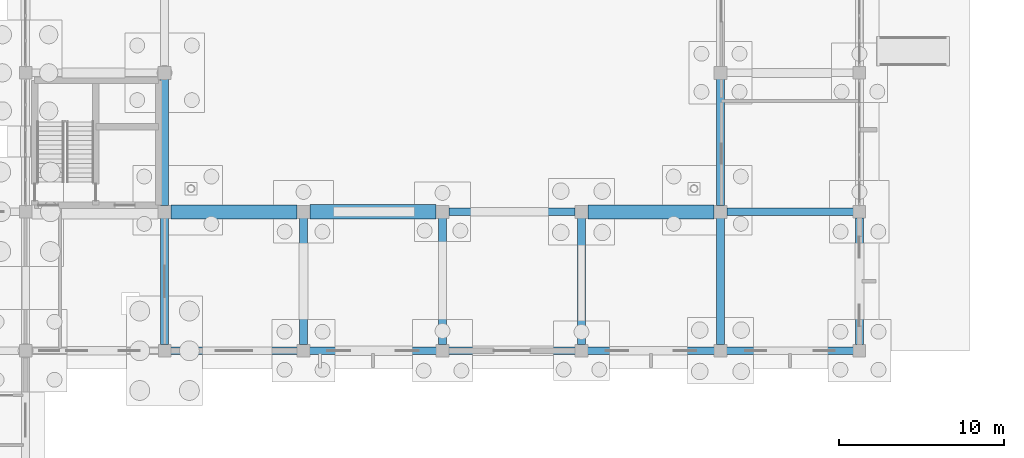
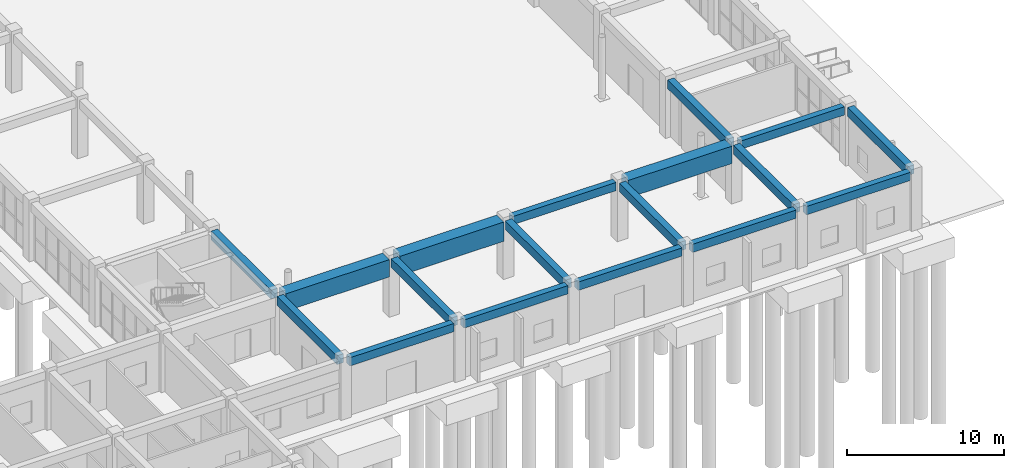
# One storey, part 123 of 192: 18 beams.
"""IFC4 building model written with IfcOpenShell, lengths in metres."""

from ifc_helpers import new_model, si_unit, direction, frame, origin, origin_2d, place, context, subcontext, project, spatial, rectangle, extrude, material, material_profile, profile_set, type_object, element, save


model = new_model("IFC4")

# Units and contexts
model_context = context("Model", 3, precision=1e-05, world=origin(), true_north=direction((0.0, 1.0)))
body_context = subcontext(model_context, "Body", "Model", "MODEL_VIEW")
ifc_project = project(units=[si_unit("LENGTHUNIT", "METRE"), si_unit("AREAUNIT", "SQUARE_METRE"), si_unit("VOLUMEUNIT", "CUBIC_METRE"), si_unit("PLANEANGLEUNIT", "RADIAN"), si_unit("MASSUNIT", "GRAM", prefix="KILO")], contexts=[model_context])

# Site, building, storey
site_placement = place(None, origin())
site = spatial("IfcSite", under=ifc_project, at=site_placement, CompositionType="ELEMENT")
building_placement = place(site_placement, origin())
building = spatial("IfcBuilding", under=site, at=building_placement, Name="Trelvath General Hospital", CompositionType="ELEMENT")
storey_placement = place(building_placement, origin())
storey = spatial("IfcBuildingStorey", under=building, at=storey_placement, Name="L00", CompositionType="ELEMENT", Elevation=0.0)

# Beams
ifc_material_1 = material(Name="Concrete C35/45", Category="concrete")
ifc_material_profile_1 = material_profile(ifc_material_1, rectangle(XDim=0.43994140625, YDim=0.639892578125, at=origin_2d()), Name="RCB440x640")
ifc_profile_set_1 = profile_set([ifc_material_profile_1], Name="Concrete C35/45")
beam_type_1 = type_object("IfcBeamType", Name="Beam RC440x640", PredefinedType="BEAM", material=ifc_profile_set_1)
beam_1_placement = place(storey_placement, frame((143.175048828125, 16.800048828125, 4.199951171875), z_axis=(1.0, 0.0, 0.0), x_axis=(0.0, 1.0, 0.0)))
element("IfcBeam", 1, at=beam_1_placement, inside=storey, type_object=beam_type_1, Name="Grid Beam BX-017C", PredefinedType="BEAM", context=body_context, shape_type="SweptSolid", body=[
    extrude(rectangle(XDim=0.43994140625, YDim=0.639892578125, at=origin_2d()), origin(), (0.0, 0.0, 1.0), 7.64990234375),
])
beam_2_placement = place(storey_placement, frame((151.574951171875, 16.800048828125, 4.199951171875), z_axis=(1.0, 0.0, 0.0), x_axis=(0.0, 1.0, 0.0)))
element("IfcBeam", 2, at=beam_2_placement, inside=storey, type_object=beam_type_1, Name="Grid Beam BX-018C", PredefinedType="BEAM", context=body_context, shape_type="SweptSolid", body=[
    extrude(rectangle(XDim=0.43994140625, YDim=0.639892578125, at=origin_2d()), origin(), (0.0, 0.0, 1.0), 7.650146484375),
])
beam_3_placement = place(storey_placement, frame((159.97509765625, 16.800048828125, 4.199951171875), z_axis=(1.0, 0.0, 0.0), x_axis=(0.0, 1.0, 0.0)))
element("IfcBeam", 3, at=beam_3_placement, inside=storey, type_object=beam_type_1, Name="Grid Beam BX-019C", PredefinedType="BEAM", context=body_context, shape_type="SweptSolid", body=[
    extrude(rectangle(XDim=0.43994140625, YDim=0.639892578125, at=origin_2d()), origin(), (0.0, 0.0, 1.0), 7.64990234375),
])
beam_4_placement = place(storey_placement, frame((159.985107421875, 25.199951171875, 4.199951171875), z_axis=(1.0, 0.0, 0.0), x_axis=(0.0, 1.0, 0.0)))
element("IfcBeam", 4, at=beam_4_placement, inside=storey, type_object=beam_type_1, Name="Grid Beam BX-019D", PredefinedType="BEAM", context=body_context, shape_type="SweptSolid", body=[
    extrude(rectangle(XDim=0.43994140625, YDim=0.639892578125, at=origin_2d()), origin(), (0.0, 0.0, 1.0), 7.6298828125),
])
beam_5_placement = place(storey_placement, frame((168.375, 16.800048828125, 4.199951171875), z_axis=(1.0, 0.0, 0.0), x_axis=(0.0, 1.0, 0.0)))
element("IfcBeam", 5, at=beam_5_placement, inside=storey, type_object=beam_type_1, Name="Grid Beam BX-020C", PredefinedType="BEAM", context=body_context, shape_type="SweptSolid", body=[
    extrude(rectangle(XDim=0.43994140625, YDim=0.639892578125, at=origin_2d()), origin(), (0.0, 0.0, 1.0), 7.64990234375),
])
beam_6_placement = place(storey_placement, frame((176.77490234375, 16.800048828125, 4.199951171875), z_axis=(1.0, 0.0, 0.0), x_axis=(0.0, 1.0, 0.0)))
element("IfcBeam", 6, at=beam_6_placement, inside=storey, type_object=beam_type_1, Name="Grid Beam BX-021C", PredefinedType="BEAM", context=body_context, shape_type="SweptSolid", body=[
    extrude(rectangle(XDim=0.43994140625, YDim=0.639892578125, at=origin_2d()), origin(), (0.0, 0.0, 1.0), 7.650146484375),
])
beam_7_placement = place(storey_placement, frame((176.784912109375, 25.199951171875, 4.199951171875), z_axis=(1.0, 0.0, 0.0), x_axis=(0.0, 1.0, 0.0)))
element("IfcBeam", 7, at=beam_7_placement, inside=storey, type_object=beam_type_1, Name="Grid Beam BX-021D", PredefinedType="BEAM", context=body_context, shape_type="SweptSolid", body=[
    extrude(rectangle(XDim=0.43994140625, YDim=0.639892578125, at=origin_2d()), origin(), (0.0, 0.0, 1.0), 7.64013671875),
])
ifc_material_2 = material(Name="Concrete C35/45", Category="concrete")
ifc_material_profile_2 = material_profile(ifc_material_2, rectangle(XDim=0.47998046875, YDim=0.679931640625, at=origin_2d()), Name="RCB480x680")
ifc_profile_set_2 = profile_set([ifc_material_profile_2], Name="Concrete C35/45")
beam_type_2 = type_object("IfcBeamType", Name="Beam RC480x680", PredefinedType="BEAM", material=ifc_profile_set_2)
beam_8_placement = place(storey_placement, frame((142.800048828125, 17.175048828125, 4.179931640625), z_axis=(0.0, 1.0, 0.0), x_axis=(-1.0, 0.0, 0.0)))
element("IfcBeam", 8, at=beam_8_placement, inside=storey, type_object=beam_type_2, Name="Grid Beam BY-017C", PredefinedType="BEAM", context=body_context, shape_type="SweptSolid", body=[
    extrude(rectangle(XDim=0.47998046875, YDim=0.679931640625, at=origin_2d()), origin(), (0.0, 0.0, 1.0), 7.639892578125),
])
beam_9_placement = place(storey_placement, frame((142.800048828125, 25.5849609375, 4.179931640625), z_axis=(0.0, 1.0, 0.0), x_axis=(-1.0, 0.0, 0.0)))
element("IfcBeam", 9, at=beam_9_placement, inside=storey, type_object=beam_type_2, Name="Grid Beam BY-017D", PredefinedType="BEAM", context=body_context, shape_type="SweptSolid", body=[
    extrude(rectangle(XDim=0.47998046875, YDim=0.679931640625, at=origin_2d()), origin(), (0.0, 0.0, 1.0), 7.630126953125),
])
for number, where, z_axis, x_axis, name in (
    (10, (151.199951171875, 17.175048828125, 4.179931640625), (0.0, 1.0, 0.0), (-1.0, 0.0, 0.0), "Grid Beam BY-018C"),
    (11, (159.60009765625, 17.175048828125, 4.179931640625), (0.0, 1.0, 0.0), (-1.0, 0.0, 0.0), "Grid Beam BY-019C"),
    (12, (168.0, 17.175048828125, 4.179931640625), (0.0, 1.0, 0.0), (-1.0, 0.0, 0.0), "Grid Beam BY-020C"),
    (13, (176.39990234375, 17.175048828125, 4.179931640625), (0.0, 1.0, 0.0), (-1.0, 0.0, 0.0), "Grid Beam BY-021C"),
):
    element("IfcBeam", number, at=place(storey_placement, frame(where, z_axis=z_axis, x_axis=x_axis)), inside=storey, type_object=beam_type_2, Name=name, PredefinedType="BEAM", context=body_context, shape_type="SweptSolid", body=[
        extrude(rectangle(XDim=0.47998046875, YDim=0.679931640625, at=origin_2d()), origin(), (0.0, 0.0, 1.0), 7.639892578125),
    ])
beam_10_placement = place(storey_placement, frame((176.39990234375, 25.5849609375, 4.179931640625), z_axis=(0.0, 1.0, 0.0), x_axis=(-1.0, 0.0, 0.0)))
element("IfcBeam", 14, at=beam_10_placement, inside=storey, type_object=beam_type_2, Name="Grid Beam BY-021D", PredefinedType="BEAM", context=body_context, shape_type="SweptSolid", body=[
    extrude(rectangle(XDim=0.47998046875, YDim=0.679931640625, at=origin_2d()), origin(), (0.0, 0.0, 1.0), 7.630126953125),
])
beam_11_placement = place(storey_placement, frame((184.800048828125, 17.175048828125, 4.179931640625), z_axis=(0.0, 1.0, 0.0), x_axis=(-1.0, 0.0, 0.0)))
element("IfcBeam", 15, at=beam_11_placement, inside=storey, type_object=beam_type_2, Name="Grid Beam BY-022C", PredefinedType="BEAM", context=body_context, shape_type="SweptSolid", body=[
    extrude(rectangle(XDim=0.47998046875, YDim=0.679931640625, at=origin_2d()), origin(), (0.0, 0.0, 1.0), 7.64990234375),
])
ifc_material_3 = material(Name="Concrete C45/55", Category="concrete")
ifc_material_profile_3 = material_profile(ifc_material_3, rectangle(XDim=0.85009765625, YDim=1.35009765625, at=origin_2d()), Name="RCB850x1350")
ifc_profile_set_3 = profile_set([ifc_material_profile_3], Name="Concrete C45/55")
beam_type_3 = type_object("IfcBeamType", Name="TransferGirder RC850x1350", PredefinedType="T_BEAM", material=ifc_profile_set_3)
for number, where, z_axis, x_axis, name in (
    (16, (143.18505859375, 25.199951171875, 3.844970703125), (1.0, 0.0, 0.0), (0.0, 1.0, 0.0), "Transfer Girder TG-04 L00"),
    (17, (168.385009765625, 25.199951171875, 3.844970703125), (1.0, 0.0, 0.0), (0.0, 1.0, 0.0), "Transfer Girder TG-10 L00"),
):
    element("IfcBeam", number, at=place(storey_placement, frame(where, z_axis=z_axis, x_axis=x_axis)), inside=storey, type_object=beam_type_3, Name=name, PredefinedType="T_BEAM", context=body_context, shape_type="SweptSolid", body=[
        extrude(rectangle(XDim=0.85009765625, YDim=1.35009765625, at=origin_2d()), origin(), (0.0, 0.0, 1.0), 7.6298828125),
    ])
ifc_material_4 = material(Name="Concrete C45/55", Category="concrete")
ifc_material_profile_4 = material_profile(ifc_material_4, rectangle(XDim=0.89990234375, YDim=1.5, at=origin_2d()), Name="RCB900x1500")
ifc_profile_set_4 = profile_set([ifc_material_profile_4], Name="Concrete C45/55")
beam_type_4 = type_object("IfcBeamType", Name="TransferGirder RC900x1500", PredefinedType="T_BEAM", material=ifc_profile_set_4)
beam_12_placement = place(storey_placement, frame((151.5849609375, 25.199951171875, 3.77001953125), z_axis=(1.0, 0.0, 0.0), x_axis=(0.0, 1.0, 0.0)))
element("IfcBeam", 18, at=beam_12_placement, inside=storey, type_object=beam_type_4, Name="Transfer Girder TG-07 L00", PredefinedType="T_BEAM", context=body_context, shape_type="SweptSolid", body=[
    extrude(rectangle(XDim=0.89990234375, YDim=1.5, at=origin_2d()), origin(), (0.0, 0.0, 1.0), 7.630126953125),
])

save(model, "model.ifc")
